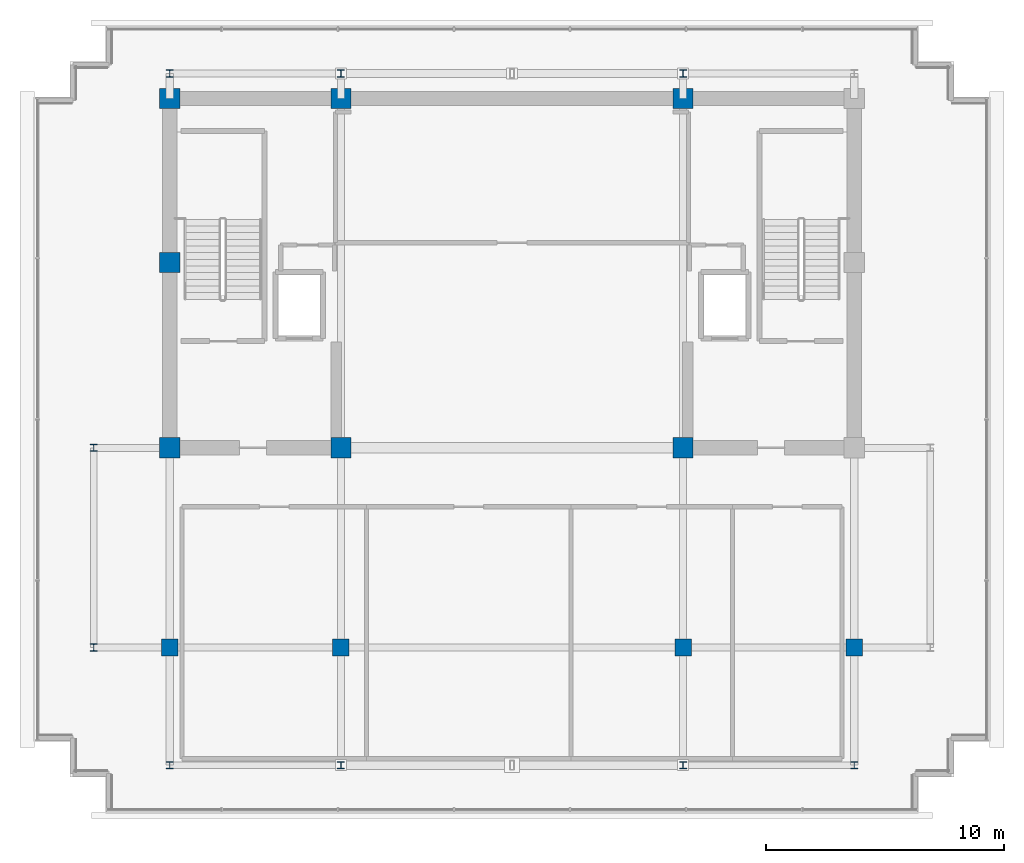
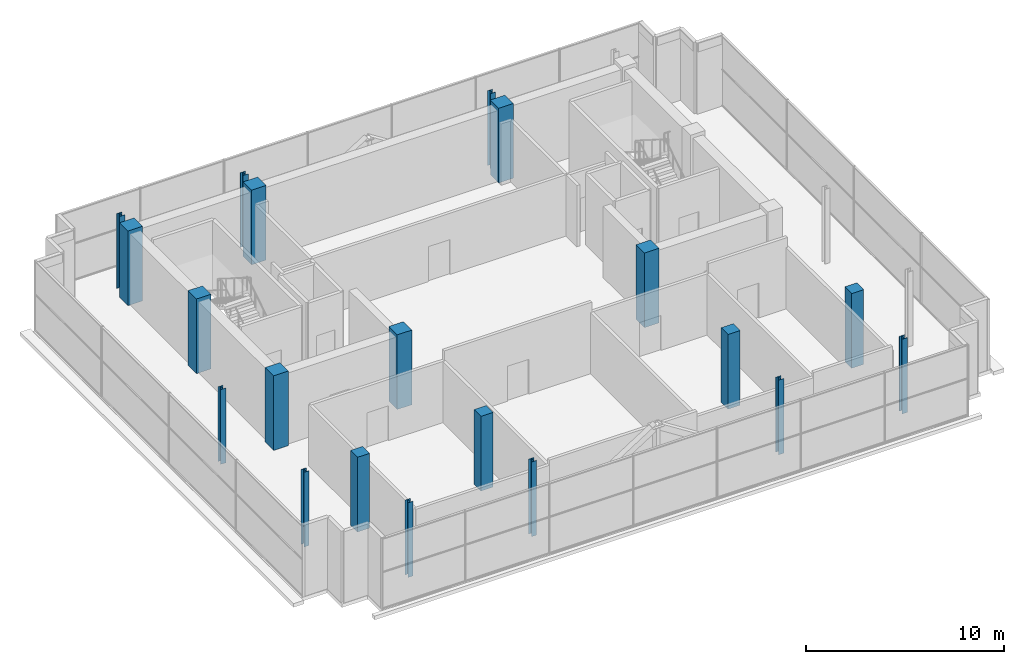
# One storey, part 1 of 28: 20 columns.
"""IFC4 building model written with IfcOpenShell, lengths in metres."""

from ifc_helpers import new_model, si_unit, direction, frame, origin, origin_2d, place, context, subcontext, project, spatial, rectangle, i_section, extrude, material, material_profile, profile_set, type_object, element, save


model = new_model("IFC4")

# Units and contexts
model_context = context("Model", 3, precision=1e-05, world=origin(), true_north=direction((0.0, 1.0)))
body_context = subcontext(model_context, "Body", "Model", "MODEL_VIEW")
ifc_project = project(units=[si_unit("LENGTHUNIT", "METRE"), si_unit("AREAUNIT", "SQUARE_METRE"), si_unit("VOLUMEUNIT", "CUBIC_METRE"), si_unit("PLANEANGLEUNIT", "RADIAN"), si_unit("MASSUNIT", "GRAM", prefix="KILO")], contexts=[model_context])

# Site, building, storey
site_placement = place(None, origin())
site = spatial("IfcSite", under=ifc_project, at=site_placement, CompositionType="ELEMENT")
building_placement = place(site_placement, origin())
building = spatial("IfcBuilding", under=site, at=building_placement, Name="Zarnakvel Exchange Tower", CompositionType="ELEMENT")
storey_placement = place(building_placement, frame((0.0, 0.0, 276.199951171875)))
storey = spatial("IfcBuildingStorey", under=building, at=storey_placement, Name="Crown L78", CompositionType="ELEMENT", Elevation=276.199951171875)

# Columns
ifc_material_1 = material(Name="Concrete C50/60", Category="concrete")
ifc_material_profile_1 = material_profile(ifc_material_1, rectangle(XDim=0.85009765625, YDim=0.85009765625, at=origin_2d()))
ifc_profile_set_1 = profile_set([ifc_material_profile_1], Name="Concrete C50/60")
column_type_1 = type_object("IfcColumnType", Name="CC-03", PredefinedType="COLUMN", material=ifc_profile_set_1)
for number, where, z_axis, x_axis, name in (
    (1, (-14.39990234375, -1.199951171875, 0.0), (0.0, 0.0, 1.0), (1.0, 0.0, 0.0), "Crown L78 Column C-4D (CC-03)"),
    (2, (-7.199951171875, -1.199951171875, 0.0), (0.0, 0.0, 1.0), (1.0, 0.0, 0.0), "Crown L78 Column C-5D (CC-03)"),
    (3, (7.199951171875, -1.199951171875, 0.0), (0.0, 0.0, 1.0), (1.0, 0.0, 0.0), "Crown L78 Column C-8D (CC-03)"),
    (4, (-14.39990234375, 6.60009765625, 0.0), (0.0, 0.0, 1.0), (1.0, 0.0, 0.0), "Crown L78 Column C-4E (CC-03)"),
    (5, (-14.39990234375, 13.5, 0.0), (0.0, 0.0, 1.0), (1.0, 0.0, 0.0), "Crown L78 Column C-4F (CC-03)"),
    (6, (-7.199951171875, 13.5, 0.0), (0.0, 0.0, 1.0), (1.0, 0.0, 0.0), "Crown L78 Column C-5F (CC-03)"),
    (7, (7.199951171875, 13.5, 0.0), (0.0, 0.0, 1.0), (1.0, 0.0, 0.0), "Crown L78 Column C-8F (CC-03)"),
):
    element("IfcColumn", number, at=place(storey_placement, frame(where, z_axis=z_axis, x_axis=x_axis)), inside=storey, type_object=column_type_1, Name=name, PredefinedType="COLUMN", context=body_context, shape_type="SweptSolid", body=[
        extrude(rectangle(XDim=0.85009765625, YDim=0.85009765625, at=origin_2d()), origin(), (0.0, 0.0, 1.0), 4.60009765625),
    ])
ifc_material_2 = material(Name="Steel S355", Category="steel")
ifc_material_profile_2 = material_profile(ifc_material_2, i_section(OverallWidth=0.300048828125, OverallDepth=0.300048828125, WebThickness=0.010986328125, FlangeThickness=0.01904296875, FilletRadius=0.027099609375, at=origin_2d()))
ifc_profile_set_2 = profile_set([ifc_material_profile_2], Name="Steel S355")
column_type_2 = type_object("IfcColumnType", Name="CF-01", PredefinedType="COLUMN", material=ifc_profile_set_2)
for number, where, z_axis, x_axis, name in (
    (8, (-14.39990234375, -14.550048828125, 0.0), (0.0, 0.0, 1.0), (1.0, 0.0, 0.0), "Crown L78 Column CS-4 (CF-01)"),
    (9, (-14.39990234375, 14.550048828125, 0.0), (0.0, 0.0, 1.0), (1.0, 0.0, 0.0), "Crown L78 Column CN-4 (CF-01)"),
    (10, (-7.199951171875, -14.550048828125, 0.0), (0.0, 0.0, 1.0), (1.0, 0.0, 0.0), "Crown L78 Column CS-5 (CF-01)"),
    (11, (-7.199951171875, 14.550048828125, 0.0), (0.0, 0.0, 1.0), (1.0, 0.0, 0.0), "Crown L78 Column CN-5 (CF-01)"),
    (12, (7.199951171875, -14.550048828125, 0.0), (0.0, 0.0, 1.0), (1.0, 0.0, 0.0), "Crown L78 Column CS-8 (CF-01)"),
    (13, (7.199951171875, 14.550048828125, 0.0), (0.0, 0.0, 1.0), (1.0, 0.0, 0.0), "Crown L78 Column CN-8 (CF-01)"),
    (14, (14.39990234375, -14.550048828125, 0.0), (0.0, 0.0, 1.0), (1.0, 0.0, 0.0), "Crown L78 Column CS-9 (CF-01)"),
    (15, (-17.60009765625, -9.60009765625, 0.0), (0.0, 0.0, 1.0), (1.0, 0.0, 0.0), "Crown L78 Column CW-C (CF-01)"),
    (16, (-17.60009765625, -1.199951171875, 0.0), (0.0, 0.0, 1.0), (1.0, 0.0, 0.0), "Crown L78 Column CW-D (CF-01)"),
):
    element("IfcColumn", number, at=place(storey_placement, frame(where, z_axis=z_axis, x_axis=x_axis)), inside=storey, type_object=column_type_2, Name=name, PredefinedType="COLUMN", context=body_context, shape_type="SweptSolid", body=[
        extrude(i_section(OverallWidth=0.300048828125, OverallDepth=0.300048828125, WebThickness=0.010986328125, FlangeThickness=0.01904296875, FilletRadius=0.027099609375, at=origin_2d()), origin(), (0.0, 0.0, 1.0), 4.60009765625),
    ])
ifc_material_profile_3 = material_profile(ifc_material_1, rectangle(XDim=0.699951171875, YDim=0.699951171875, at=origin_2d()))
ifc_profile_set_3 = profile_set([ifc_material_profile_3], Name="Concrete C50/60")
column_type_3 = type_object("IfcColumnType", Name="TC-05", PredefinedType="COLUMN", material=ifc_profile_set_3)
for number, where, z_axis, x_axis, name in (
    (17, (-14.39990234375, -9.60009765625, 0.0), (0.0, 0.0, 1.0), (1.0, 0.0, 0.0), "Crown L78 Column CC-4C (TC-05)"),
    (18, (-7.199951171875, -9.60009765625, 0.0), (0.0, 0.0, 1.0), (1.0, 0.0, 0.0), "Crown L78 Column CC-5C (TC-05)"),
    (19, (7.199951171875, -9.60009765625, 0.0), (0.0, 0.0, 1.0), (1.0, 0.0, 0.0), "Crown L78 Column CC-8C (TC-05)"),
    (20, (14.39990234375, -9.60009765625, 0.0), (0.0, 0.0, 1.0), (1.0, 0.0, 0.0), "Crown L78 Column CC-9C (TC-05)"),
):
    element("IfcColumn", number, at=place(storey_placement, frame(where, z_axis=z_axis, x_axis=x_axis)), inside=storey, type_object=column_type_3, Name=name, PredefinedType="COLUMN", context=body_context, shape_type="SweptSolid", body=[
        extrude(rectangle(XDim=0.699951171875, YDim=0.699951171875, at=origin_2d()), origin(), (0.0, 0.0, 1.0), 4.60009765625),
    ])

save(model, "model.ifc")
